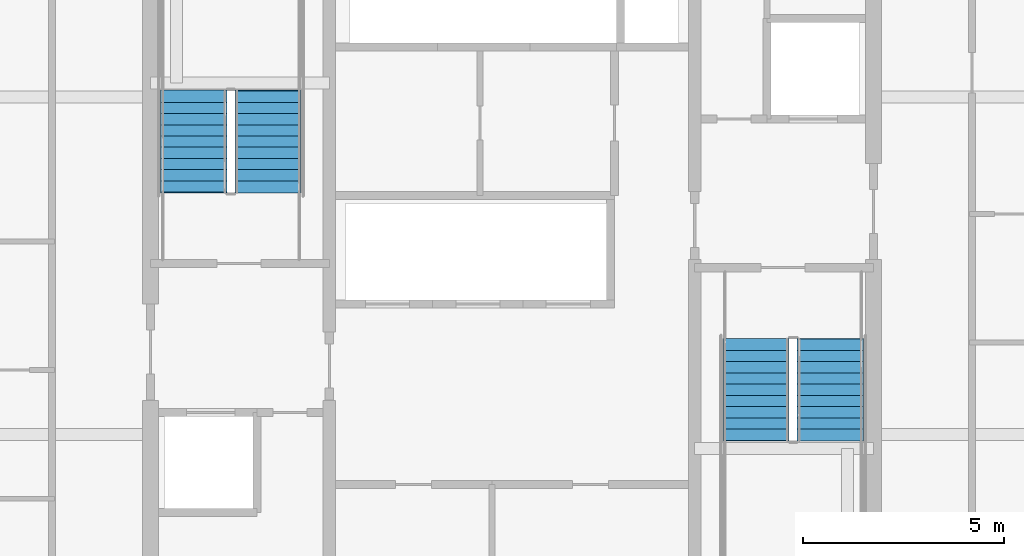
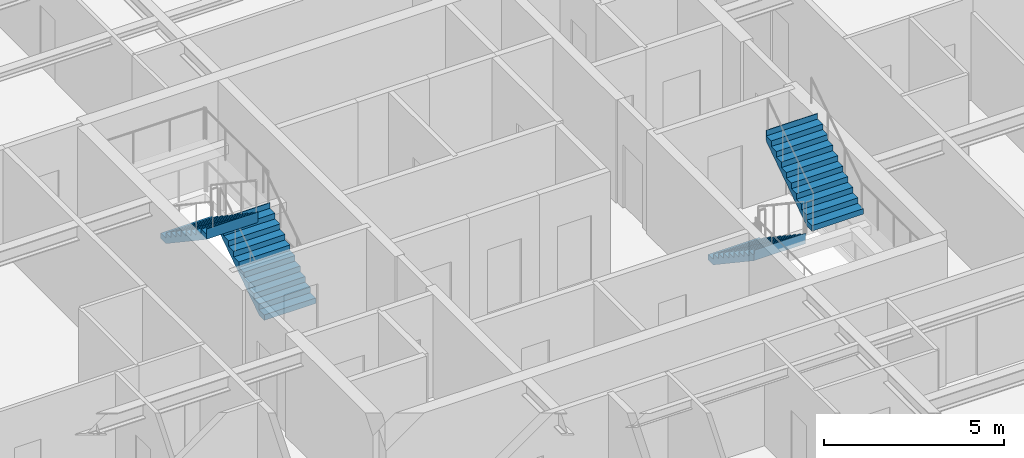
# One storey, part 33 of 39: 4 stair flights, 2 elements without a shape of their own.
"""IFC4 building model written with IfcOpenShell, lengths in metres."""

from ifc_helpers import new_model, si_unit, direction, frame, origin, place, context, subcontext, project, spatial, polygons, material, type_object, element, aggregate, save


model = new_model("IFC4")

# Units and contexts
model_context = context("Model", 3, precision=1e-05, world=origin(), true_north=direction((0.0, 1.0)))
body_context = subcontext(model_context, "Body", "Model", "MODEL_VIEW")
ifc_project = project(units=[si_unit("LENGTHUNIT", "METRE"), si_unit("AREAUNIT", "SQUARE_METRE"), si_unit("VOLUMEUNIT", "CUBIC_METRE"), si_unit("PLANEANGLEUNIT", "RADIAN"), si_unit("MASSUNIT", "GRAM", prefix="KILO")], contexts=[model_context])

# Site, building, storey
site_placement = place(None, origin())
site = spatial("IfcSite", under=ifc_project, at=site_placement, CompositionType="ELEMENT")
building_placement = place(site_placement, origin())
building = spatial("IfcBuilding", under=site, at=building_placement, Name="Serunith Strait Residences", CompositionType="ELEMENT")
storey_placement = place(building_placement, frame((0.0, 0.0, 168.89990234375)))
storey = spatial("IfcBuildingStorey", under=building, at=storey_placement, Name="L42", CompositionType="ELEMENT", Elevation=168.89990234375)

# Stair, stair flights
ifc_material = material(Name="Concrete C50/60", Category="concrete")
stair_type_1 = type_object("IfcStairType", Name="STR-CORE-1", PredefinedType="HALF_TURN_STAIR", material=ifc_material)
stair_1_placement = place(storey_placement, origin())
stair_1 = element("IfcStair", 1, at=stair_1_placement, inside=storey, type_object=stair_type_1, Name="L42 Protected Escape Stair ST-1", PredefinedType="HALF_TURN_STAIR")
stair_flight_type_1 = type_object("IfcStairFlightType", Name="FLT-CORE-1", PredefinedType="STRAIGHT", material=ifc_material)
stair_flight_1_placement = place(storey_placement, frame((26.324951171875, 27.030029296875, 0.0), z_axis=(0.0, 0.0, 1.0), x_axis=(0.0, 1.0, 0.0)))
stair_flight_1 = element("IfcStairFlight", 2, at=stair_flight_1_placement, type_object=stair_flight_type_1, Name="ST-1 flight 1", NumberOfRisers=10, NumberOfTreads=9, PredefinedType="STRAIGHT", RiserHeight=0.1875, TreadLength=0.28, context=body_context, shape_type="Tessellation", body=[
    polygons([(-0.02001953125, -0.824951171875, 0.0), (-0.02001953125, -0.824951171875, 0.1875), (0.280029296875, -0.824951171875, 0.1875), (0.280029296875, -0.824951171875, 0.375), (0.56005859375, -0.824951171875, 0.375), (0.56005859375, -0.824951171875, 0.5625), (0.840087890625, -0.824951171875, 0.5625), (0.840087890625, -0.824951171875, 0.75), (1.1201171875, -0.824951171875, 0.75), (1.1201171875, -0.824951171875, 0.9375), (1.39990234375, -0.824951171875, 0.9375), (1.39990234375, -0.824951171875, 1.125), (1.679931640625, -0.824951171875, 1.125), (1.679931640625, -0.824951171875, 1.3125), (1.9599609375, -0.824951171875, 1.3125), (1.9599609375, -0.824951171875, 1.5), (2.239990234375, -0.824951171875, 1.5), (2.239990234375, -0.824951171875, 1.6875), (2.52001953125, -0.824951171875, 1.6875), (2.52001953125, -0.824951171875, 1.875), (2.5400390625, -0.824951171875, 1.875), (2.5400390625, -0.824951171875, 1.81494140625), (2.52001953125, -0.824951171875, 1.507080078125), (0.26953125, -0.824951171875, 0.0), (-0.02001953125, -0.41259765625, 0.0), (-0.02001953125, -0.41259765625, 0.1875), (0.280029296875, -0.41259765625, 0.1875), (0.280029296875, -0.41259765625, 0.375), (0.56005859375, -0.41259765625, 0.375), (0.56005859375, -0.41259765625, 0.5625), (0.840087890625, -0.41259765625, 0.5625), (0.840087890625, -0.41259765625, 0.75), (1.1201171875, -0.41259765625, 0.75), (1.1201171875, -0.41259765625, 0.9375), (1.39990234375, -0.41259765625, 0.9375), (1.39990234375, -0.41259765625, 1.125), (1.679931640625, -0.41259765625, 1.125), (1.679931640625, -0.41259765625, 1.3125), (1.9599609375, -0.41259765625, 1.3125), (1.9599609375, -0.41259765625, 1.5), (2.239990234375, -0.41259765625, 1.5), (2.239990234375, -0.41259765625, 1.6875), (2.52001953125, -0.41259765625, 1.6875), (2.52001953125, -0.41259765625, 1.875), (2.5400390625, -0.41259765625, 1.875), (2.5400390625, -0.41259765625, 1.81494140625), (2.52001953125, -0.41259765625, 1.507080078125), (0.26953125, -0.41259765625, 0.0), (-0.02001953125, 0.0, 0.0), (-0.02001953125, 0.0, 0.1875), (0.280029296875, 0.0, 0.1875), (0.280029296875, 0.0, 0.375), (0.56005859375, 0.0, 0.375), (0.56005859375, 0.0, 0.5625), (0.840087890625, 0.0, 0.5625), (0.840087890625, 0.0, 0.75), (1.1201171875, 0.0, 0.75), (1.1201171875, 0.0, 0.9375), (1.39990234375, 0.0, 0.9375), (1.39990234375, 0.0, 1.125), (1.679931640625, 0.0, 1.125), (1.679931640625, 0.0, 1.3125), (1.9599609375, 0.0, 1.3125), (1.9599609375, 0.0, 1.5), (2.239990234375, 0.0, 1.5), (2.239990234375, 0.0, 1.6875), (2.52001953125, 0.0, 1.6875), (2.52001953125, 0.0, 1.875), (2.5400390625, 0.0, 1.875), (2.5400390625, 0.0, 1.81494140625), (2.52001953125, 0.0, 1.507080078125), (0.26953125, 0.0, 0.0), (-0.02001953125, 0.41259765625, 0.0), (-0.02001953125, 0.41259765625, 0.1875), (0.280029296875, 0.41259765625, 0.1875), (0.280029296875, 0.41259765625, 0.375), (0.56005859375, 0.41259765625, 0.375), (0.56005859375, 0.41259765625, 0.5625), (0.840087890625, 0.41259765625, 0.5625), (0.840087890625, 0.41259765625, 0.75), (1.1201171875, 0.41259765625, 0.75), (1.1201171875, 0.41259765625, 0.9375), (1.39990234375, 0.41259765625, 0.9375), (1.39990234375, 0.41259765625, 1.125), (1.679931640625, 0.41259765625, 1.125), (1.679931640625, 0.41259765625, 1.3125), (1.9599609375, 0.41259765625, 1.3125), (1.9599609375, 0.41259765625, 1.5), (2.239990234375, 0.41259765625, 1.5), (2.239990234375, 0.41259765625, 1.6875), (2.52001953125, 0.41259765625, 1.6875), (2.52001953125, 0.41259765625, 1.875), (2.5400390625, 0.41259765625, 1.875), (2.5400390625, 0.41259765625, 1.81494140625), (2.52001953125, 0.41259765625, 1.507080078125), (0.26953125, 0.41259765625, 0.0), (-0.02001953125, 0.824951171875, 0.0), (-0.02001953125, 0.824951171875, 0.1875), (0.280029296875, 0.824951171875, 0.1875), (0.280029296875, 0.824951171875, 0.375), (0.56005859375, 0.824951171875, 0.375), (0.56005859375, 0.824951171875, 0.5625), (0.840087890625, 0.824951171875, 0.5625), (0.840087890625, 0.824951171875, 0.75), (1.1201171875, 0.824951171875, 0.75), (1.1201171875, 0.824951171875, 0.9375), (1.39990234375, 0.824951171875, 0.9375), (1.39990234375, 0.824951171875, 1.125), (1.679931640625, 0.824951171875, 1.125), (1.679931640625, 0.824951171875, 1.3125), (1.9599609375, 0.824951171875, 1.3125), (1.9599609375, 0.824951171875, 1.5), (2.239990234375, 0.824951171875, 1.5), (2.239990234375, 0.824951171875, 1.6875), (2.52001953125, 0.824951171875, 1.6875), (2.52001953125, 0.824951171875, 1.875), (2.5400390625, 0.824951171875, 1.875), (2.5400390625, 0.824951171875, 1.81494140625), (2.52001953125, 0.824951171875, 1.507080078125), (0.26953125, 0.824951171875, 0.0)], [[[1, 2, 26, 25]], [[2, 3, 27, 26]], [[3, 4, 28, 27]], [[4, 5, 29, 28]], [[5, 6, 30, 29]], [[6, 7, 31, 30]], [[7, 8, 32, 31]], [[8, 9, 33, 32]], [[9, 10, 34, 33]], [[10, 11, 35, 34]], [[11, 12, 36, 35]], [[12, 13, 37, 36]], [[13, 14, 38, 37]], [[14, 15, 39, 38]], [[15, 16, 40, 39]], [[16, 17, 41, 40]], [[17, 18, 42, 41]], [[18, 19, 43, 42]], [[19, 20, 44, 43]], [[20, 21, 45, 44]], [[21, 22, 46, 45]], [[22, 23, 47, 46]], [[23, 24, 48, 47]], [[24, 1, 25, 48]], [[25, 26, 50, 49]], [[26, 27, 51, 50]], [[27, 28, 52, 51]], [[28, 29, 53, 52]], [[29, 30, 54, 53]], [[30, 31, 55, 54]], [[31, 32, 56, 55]], [[32, 33, 57, 56]], [[33, 34, 58, 57]], [[34, 35, 59, 58]], [[35, 36, 60, 59]], [[36, 37, 61, 60]], [[37, 38, 62, 61]], [[38, 39, 63, 62]], [[39, 40, 64, 63]], [[40, 41, 65, 64]], [[41, 42, 66, 65]], [[42, 43, 67, 66]], [[43, 44, 68, 67]], [[44, 45, 69, 68]], [[45, 46, 70, 69]], [[46, 47, 71, 70]], [[47, 48, 72, 71]], [[48, 25, 49, 72]], [[49, 50, 74, 73]], [[50, 51, 75, 74]], [[51, 52, 76, 75]], [[52, 53, 77, 76]], [[53, 54, 78, 77]], [[54, 55, 79, 78]], [[55, 56, 80, 79]], [[56, 57, 81, 80]], [[57, 58, 82, 81]], [[58, 59, 83, 82]], [[59, 60, 84, 83]], [[60, 61, 85, 84]], [[61, 62, 86, 85]], [[62, 63, 87, 86]], [[63, 64, 88, 87]], [[64, 65, 89, 88]], [[65, 66, 90, 89]], [[66, 67, 91, 90]], [[67, 68, 92, 91]], [[68, 69, 93, 92]], [[69, 70, 94, 93]], [[70, 71, 95, 94]], [[71, 72, 96, 95]], [[72, 49, 73, 96]], [[73, 74, 98, 97]], [[74, 75, 99, 98]], [[75, 76, 100, 99]], [[76, 77, 101, 100]], [[77, 78, 102, 101]], [[78, 79, 103, 102]], [[79, 80, 104, 103]], [[80, 81, 105, 104]], [[81, 82, 106, 105]], [[82, 83, 107, 106]], [[83, 84, 108, 107]], [[84, 85, 109, 108]], [[85, 86, 110, 109]], [[86, 87, 111, 110]], [[87, 88, 112, 111]], [[88, 89, 113, 112]], [[89, 90, 114, 113]], [[90, 91, 115, 114]], [[91, 92, 116, 115]], [[92, 93, 117, 116]], [[93, 94, 118, 117]], [[94, 95, 119, 118]], [[95, 96, 120, 119]], [[96, 73, 97, 120]], [[24, 23, 22, 21, 20, 19, 18, 17, 16, 15, 14, 13, 12, 11, 10, 9, 8, 7, 6, 5, 4, 3, 2, 1]], [[97, 98, 99, 100, 101, 102, 103, 104, 105, 106, 107, 108, 109, 110, 111, 112, 113, 114, 115, 116, 117, 118, 119, 120]]], closed=True),
])
stair_flight_2_placement = place(storey_placement, frame((24.47509765625, 29.550048828125, 1.875), z_axis=(0.0, 0.0, 1.0), x_axis=(0.0, -1.0, 0.0)))
stair_flight_2 = element("IfcStairFlight", 3, at=stair_flight_2_placement, type_object=stair_flight_type_1, Name="ST-1 flight 2", NumberOfRisers=10, NumberOfTreads=9, PredefinedType="STRAIGHT", RiserHeight=0.1875, TreadLength=0.28, context=body_context, shape_type="Tessellation", body=[
    polygons([(-0.02001953125, -0.824951171875, 0.0), (-0.02001953125, -0.824951171875, 0.1875), (0.280029296875, -0.824951171875, 0.1875), (0.280029296875, -0.824951171875, 0.375), (0.56005859375, -0.824951171875, 0.375), (0.56005859375, -0.824951171875, 0.5625), (0.840087890625, -0.824951171875, 0.5625), (0.840087890625, -0.824951171875, 0.75), (1.1201171875, -0.824951171875, 0.75), (1.1201171875, -0.824951171875, 0.9375), (1.39990234375, -0.824951171875, 0.9375), (1.39990234375, -0.824951171875, 1.125), (1.679931640625, -0.824951171875, 1.125), (1.679931640625, -0.824951171875, 1.3125), (1.9599609375, -0.824951171875, 1.3125), (1.9599609375, -0.824951171875, 1.5), (2.239990234375, -0.824951171875, 1.5), (2.239990234375, -0.824951171875, 1.6875), (2.52001953125, -0.824951171875, 1.6875), (2.52001953125, -0.824951171875, 1.875), (2.5400390625, -0.824951171875, 1.875), (2.5400390625, -0.824951171875, 1.81494140625), (2.52001953125, -0.824951171875, 1.507080078125), (0.26953125, -0.824951171875, 0.0), (-0.02001953125, -0.41259765625, 0.0), (-0.02001953125, -0.41259765625, 0.1875), (0.280029296875, -0.41259765625, 0.1875), (0.280029296875, -0.41259765625, 0.375), (0.56005859375, -0.41259765625, 0.375), (0.56005859375, -0.41259765625, 0.5625), (0.840087890625, -0.41259765625, 0.5625), (0.840087890625, -0.41259765625, 0.75), (1.1201171875, -0.41259765625, 0.75), (1.1201171875, -0.41259765625, 0.9375), (1.39990234375, -0.41259765625, 0.9375), (1.39990234375, -0.41259765625, 1.125), (1.679931640625, -0.41259765625, 1.125), (1.679931640625, -0.41259765625, 1.3125), (1.9599609375, -0.41259765625, 1.3125), (1.9599609375, -0.41259765625, 1.5), (2.239990234375, -0.41259765625, 1.5), (2.239990234375, -0.41259765625, 1.6875), (2.52001953125, -0.41259765625, 1.6875), (2.52001953125, -0.41259765625, 1.875), (2.5400390625, -0.41259765625, 1.875), (2.5400390625, -0.41259765625, 1.81494140625), (2.52001953125, -0.41259765625, 1.507080078125), (0.26953125, -0.41259765625, 0.0), (-0.02001953125, 0.0, 0.0), (-0.02001953125, 0.0, 0.1875), (0.280029296875, 0.0, 0.1875), (0.280029296875, 0.0, 0.375), (0.56005859375, 0.0, 0.375), (0.56005859375, 0.0, 0.5625), (0.840087890625, 0.0, 0.5625), (0.840087890625, 0.0, 0.75), (1.1201171875, 0.0, 0.75), (1.1201171875, 0.0, 0.9375), (1.39990234375, 0.0, 0.9375), (1.39990234375, 0.0, 1.125), (1.679931640625, 0.0, 1.125), (1.679931640625, 0.0, 1.3125), (1.9599609375, 0.0, 1.3125), (1.9599609375, 0.0, 1.5), (2.239990234375, 0.0, 1.5), (2.239990234375, 0.0, 1.6875), (2.52001953125, 0.0, 1.6875), (2.52001953125, 0.0, 1.875), (2.5400390625, 0.0, 1.875), (2.5400390625, 0.0, 1.81494140625), (2.52001953125, 0.0, 1.507080078125), (0.26953125, 0.0, 0.0), (-0.02001953125, 0.41259765625, 0.0), (-0.02001953125, 0.41259765625, 0.1875), (0.280029296875, 0.41259765625, 0.1875), (0.280029296875, 0.41259765625, 0.375), (0.56005859375, 0.41259765625, 0.375), (0.56005859375, 0.41259765625, 0.5625), (0.840087890625, 0.41259765625, 0.5625), (0.840087890625, 0.41259765625, 0.75), (1.1201171875, 0.41259765625, 0.75), (1.1201171875, 0.41259765625, 0.9375), (1.39990234375, 0.41259765625, 0.9375), (1.39990234375, 0.41259765625, 1.125), (1.679931640625, 0.41259765625, 1.125), (1.679931640625, 0.41259765625, 1.3125), (1.9599609375, 0.41259765625, 1.3125), (1.9599609375, 0.41259765625, 1.5), (2.239990234375, 0.41259765625, 1.5), (2.239990234375, 0.41259765625, 1.6875), (2.52001953125, 0.41259765625, 1.6875), (2.52001953125, 0.41259765625, 1.875), (2.5400390625, 0.41259765625, 1.875), (2.5400390625, 0.41259765625, 1.81494140625), (2.52001953125, 0.41259765625, 1.507080078125), (0.26953125, 0.41259765625, 0.0), (-0.02001953125, 0.824951171875, 0.0), (-0.02001953125, 0.824951171875, 0.1875), (0.280029296875, 0.824951171875, 0.1875), (0.280029296875, 0.824951171875, 0.375), (0.56005859375, 0.824951171875, 0.375), (0.56005859375, 0.824951171875, 0.5625), (0.840087890625, 0.824951171875, 0.5625), (0.840087890625, 0.824951171875, 0.75), (1.1201171875, 0.824951171875, 0.75), (1.1201171875, 0.824951171875, 0.9375), (1.39990234375, 0.824951171875, 0.9375), (1.39990234375, 0.824951171875, 1.125), (1.679931640625, 0.824951171875, 1.125), (1.679931640625, 0.824951171875, 1.3125), (1.9599609375, 0.824951171875, 1.3125), (1.9599609375, 0.824951171875, 1.5), (2.239990234375, 0.824951171875, 1.5), (2.239990234375, 0.824951171875, 1.6875), (2.52001953125, 0.824951171875, 1.6875), (2.52001953125, 0.824951171875, 1.875), (2.5400390625, 0.824951171875, 1.875), (2.5400390625, 0.824951171875, 1.81494140625), (2.52001953125, 0.824951171875, 1.507080078125), (0.26953125, 0.824951171875, 0.0)], [[[1, 2, 26, 25]], [[2, 3, 27, 26]], [[3, 4, 28, 27]], [[4, 5, 29, 28]], [[5, 6, 30, 29]], [[6, 7, 31, 30]], [[7, 8, 32, 31]], [[8, 9, 33, 32]], [[9, 10, 34, 33]], [[10, 11, 35, 34]], [[11, 12, 36, 35]], [[12, 13, 37, 36]], [[13, 14, 38, 37]], [[14, 15, 39, 38]], [[15, 16, 40, 39]], [[16, 17, 41, 40]], [[17, 18, 42, 41]], [[18, 19, 43, 42]], [[19, 20, 44, 43]], [[20, 21, 45, 44]], [[21, 22, 46, 45]], [[22, 23, 47, 46]], [[23, 24, 48, 47]], [[24, 1, 25, 48]], [[25, 26, 50, 49]], [[26, 27, 51, 50]], [[27, 28, 52, 51]], [[28, 29, 53, 52]], [[29, 30, 54, 53]], [[30, 31, 55, 54]], [[31, 32, 56, 55]], [[32, 33, 57, 56]], [[33, 34, 58, 57]], [[34, 35, 59, 58]], [[35, 36, 60, 59]], [[36, 37, 61, 60]], [[37, 38, 62, 61]], [[38, 39, 63, 62]], [[39, 40, 64, 63]], [[40, 41, 65, 64]], [[41, 42, 66, 65]], [[42, 43, 67, 66]], [[43, 44, 68, 67]], [[44, 45, 69, 68]], [[45, 46, 70, 69]], [[46, 47, 71, 70]], [[47, 48, 72, 71]], [[48, 25, 49, 72]], [[49, 50, 74, 73]], [[50, 51, 75, 74]], [[51, 52, 76, 75]], [[52, 53, 77, 76]], [[53, 54, 78, 77]], [[54, 55, 79, 78]], [[55, 56, 80, 79]], [[56, 57, 81, 80]], [[57, 58, 82, 81]], [[58, 59, 83, 82]], [[59, 60, 84, 83]], [[60, 61, 85, 84]], [[61, 62, 86, 85]], [[62, 63, 87, 86]], [[63, 64, 88, 87]], [[64, 65, 89, 88]], [[65, 66, 90, 89]], [[66, 67, 91, 90]], [[67, 68, 92, 91]], [[68, 69, 93, 92]], [[69, 70, 94, 93]], [[70, 71, 95, 94]], [[71, 72, 96, 95]], [[72, 49, 73, 96]], [[73, 74, 98, 97]], [[74, 75, 99, 98]], [[75, 76, 100, 99]], [[76, 77, 101, 100]], [[77, 78, 102, 101]], [[78, 79, 103, 102]], [[79, 80, 104, 103]], [[80, 81, 105, 104]], [[81, 82, 106, 105]], [[82, 83, 107, 106]], [[83, 84, 108, 107]], [[84, 85, 109, 108]], [[85, 86, 110, 109]], [[86, 87, 111, 110]], [[87, 88, 112, 111]], [[88, 89, 113, 112]], [[89, 90, 114, 113]], [[90, 91, 115, 114]], [[91, 92, 116, 115]], [[92, 93, 117, 116]], [[93, 94, 118, 117]], [[94, 95, 119, 118]], [[95, 96, 120, 119]], [[96, 73, 97, 120]], [[24, 23, 22, 21, 20, 19, 18, 17, 16, 15, 14, 13, 12, 11, 10, 9, 8, 7, 6, 5, 4, 3, 2, 1]], [[97, 98, 99, 100, 101, 102, 103, 104, 105, 106, 107, 108, 109, 110, 111, 112, 113, 114, 115, 116, 117, 118, 119, 120]]], closed=True),
])
aggregate(stair_1, [stair_flight_1, stair_flight_2])

stair_type_2 = type_object("IfcStairType", Name="STR-CORE-2", PredefinedType="HALF_TURN_STAIR", material=ifc_material)
stair_2_placement = place(storey_placement, origin())
stair_2 = element("IfcStair", 4, at=stair_2_placement, inside=storey, type_object=stair_type_2, Name="L42 Protected Escape Stair ST-2", PredefinedType="HALF_TURN_STAIR")
stair_flight_type_2 = type_object("IfcStairFlightType", Name="FLT-CORE-2", PredefinedType="STRAIGHT", material=ifc_material)
stair_flight_3_placement = place(storey_placement, frame((38.47509765625, 23.3701171875, 0.0), z_axis=(0.0, 0.0, 1.0), x_axis=(0.0, -1.0, 0.0)))
stair_flight_3 = element("IfcStairFlight", 5, at=stair_flight_3_placement, type_object=stair_flight_type_2, Name="ST-2 flight 1", NumberOfRisers=10, NumberOfTreads=9, PredefinedType="STRAIGHT", RiserHeight=0.1875, TreadLength=0.28, context=body_context, shape_type="Tessellation", body=[
    polygons([(-0.02001953125, -0.824951171875, 0.0), (-0.02001953125, -0.824951171875, 0.1875), (0.280029296875, -0.824951171875, 0.1875), (0.280029296875, -0.824951171875, 0.375), (0.56005859375, -0.824951171875, 0.375), (0.56005859375, -0.824951171875, 0.5625), (0.840087890625, -0.824951171875, 0.5625), (0.840087890625, -0.824951171875, 0.75), (1.1201171875, -0.824951171875, 0.75), (1.1201171875, -0.824951171875, 0.9375), (1.39990234375, -0.824951171875, 0.9375), (1.39990234375, -0.824951171875, 1.125), (1.679931640625, -0.824951171875, 1.125), (1.679931640625, -0.824951171875, 1.3125), (1.9599609375, -0.824951171875, 1.3125), (1.9599609375, -0.824951171875, 1.5), (2.239990234375, -0.824951171875, 1.5), (2.239990234375, -0.824951171875, 1.6875), (2.52001953125, -0.824951171875, 1.6875), (2.52001953125, -0.824951171875, 1.875), (2.5400390625, -0.824951171875, 1.875), (2.5400390625, -0.824951171875, 1.81494140625), (2.52001953125, -0.824951171875, 1.507080078125), (0.26953125, -0.824951171875, 0.0), (-0.02001953125, -0.41259765625, 0.0), (-0.02001953125, -0.41259765625, 0.1875), (0.280029296875, -0.41259765625, 0.1875), (0.280029296875, -0.41259765625, 0.375), (0.56005859375, -0.41259765625, 0.375), (0.56005859375, -0.41259765625, 0.5625), (0.840087890625, -0.41259765625, 0.5625), (0.840087890625, -0.41259765625, 0.75), (1.1201171875, -0.41259765625, 0.75), (1.1201171875, -0.41259765625, 0.9375), (1.39990234375, -0.41259765625, 0.9375), (1.39990234375, -0.41259765625, 1.125), (1.679931640625, -0.41259765625, 1.125), (1.679931640625, -0.41259765625, 1.3125), (1.9599609375, -0.41259765625, 1.3125), (1.9599609375, -0.41259765625, 1.5), (2.239990234375, -0.41259765625, 1.5), (2.239990234375, -0.41259765625, 1.6875), (2.52001953125, -0.41259765625, 1.6875), (2.52001953125, -0.41259765625, 1.875), (2.5400390625, -0.41259765625, 1.875), (2.5400390625, -0.41259765625, 1.81494140625), (2.52001953125, -0.41259765625, 1.507080078125), (0.26953125, -0.41259765625, 0.0), (-0.02001953125, 0.0, 0.0), (-0.02001953125, 0.0, 0.1875), (0.280029296875, 0.0, 0.1875), (0.280029296875, 0.0, 0.375), (0.56005859375, 0.0, 0.375), (0.56005859375, 0.0, 0.5625), (0.840087890625, 0.0, 0.5625), (0.840087890625, 0.0, 0.75), (1.1201171875, 0.0, 0.75), (1.1201171875, 0.0, 0.9375), (1.39990234375, 0.0, 0.9375), (1.39990234375, 0.0, 1.125), (1.679931640625, 0.0, 1.125), (1.679931640625, 0.0, 1.3125), (1.9599609375, 0.0, 1.3125), (1.9599609375, 0.0, 1.5), (2.239990234375, 0.0, 1.5), (2.239990234375, 0.0, 1.6875), (2.52001953125, 0.0, 1.6875), (2.52001953125, 0.0, 1.875), (2.5400390625, 0.0, 1.875), (2.5400390625, 0.0, 1.81494140625), (2.52001953125, 0.0, 1.507080078125), (0.26953125, 0.0, 0.0), (-0.02001953125, 0.41259765625, 0.0), (-0.02001953125, 0.41259765625, 0.1875), (0.280029296875, 0.41259765625, 0.1875), (0.280029296875, 0.41259765625, 0.375), (0.56005859375, 0.41259765625, 0.375), (0.56005859375, 0.41259765625, 0.5625), (0.840087890625, 0.41259765625, 0.5625), (0.840087890625, 0.41259765625, 0.75), (1.1201171875, 0.41259765625, 0.75), (1.1201171875, 0.41259765625, 0.9375), (1.39990234375, 0.41259765625, 0.9375), (1.39990234375, 0.41259765625, 1.125), (1.679931640625, 0.41259765625, 1.125), (1.679931640625, 0.41259765625, 1.3125), (1.9599609375, 0.41259765625, 1.3125), (1.9599609375, 0.41259765625, 1.5), (2.239990234375, 0.41259765625, 1.5), (2.239990234375, 0.41259765625, 1.6875), (2.52001953125, 0.41259765625, 1.6875), (2.52001953125, 0.41259765625, 1.875), (2.5400390625, 0.41259765625, 1.875), (2.5400390625, 0.41259765625, 1.81494140625), (2.52001953125, 0.41259765625, 1.507080078125), (0.26953125, 0.41259765625, 0.0), (-0.02001953125, 0.824951171875, 0.0), (-0.02001953125, 0.824951171875, 0.1875), (0.280029296875, 0.824951171875, 0.1875), (0.280029296875, 0.824951171875, 0.375), (0.56005859375, 0.824951171875, 0.375), (0.56005859375, 0.824951171875, 0.5625), (0.840087890625, 0.824951171875, 0.5625), (0.840087890625, 0.824951171875, 0.75), (1.1201171875, 0.824951171875, 0.75), (1.1201171875, 0.824951171875, 0.9375), (1.39990234375, 0.824951171875, 0.9375), (1.39990234375, 0.824951171875, 1.125), (1.679931640625, 0.824951171875, 1.125), (1.679931640625, 0.824951171875, 1.3125), (1.9599609375, 0.824951171875, 1.3125), (1.9599609375, 0.824951171875, 1.5), (2.239990234375, 0.824951171875, 1.5), (2.239990234375, 0.824951171875, 1.6875), (2.52001953125, 0.824951171875, 1.6875), (2.52001953125, 0.824951171875, 1.875), (2.5400390625, 0.824951171875, 1.875), (2.5400390625, 0.824951171875, 1.81494140625), (2.52001953125, 0.824951171875, 1.507080078125), (0.26953125, 0.824951171875, 0.0)], [[[1, 2, 26, 25]], [[2, 3, 27, 26]], [[3, 4, 28, 27]], [[4, 5, 29, 28]], [[5, 6, 30, 29]], [[6, 7, 31, 30]], [[7, 8, 32, 31]], [[8, 9, 33, 32]], [[9, 10, 34, 33]], [[10, 11, 35, 34]], [[11, 12, 36, 35]], [[12, 13, 37, 36]], [[13, 14, 38, 37]], [[14, 15, 39, 38]], [[15, 16, 40, 39]], [[16, 17, 41, 40]], [[17, 18, 42, 41]], [[18, 19, 43, 42]], [[19, 20, 44, 43]], [[20, 21, 45, 44]], [[21, 22, 46, 45]], [[22, 23, 47, 46]], [[23, 24, 48, 47]], [[24, 1, 25, 48]], [[25, 26, 50, 49]], [[26, 27, 51, 50]], [[27, 28, 52, 51]], [[28, 29, 53, 52]], [[29, 30, 54, 53]], [[30, 31, 55, 54]], [[31, 32, 56, 55]], [[32, 33, 57, 56]], [[33, 34, 58, 57]], [[34, 35, 59, 58]], [[35, 36, 60, 59]], [[36, 37, 61, 60]], [[37, 38, 62, 61]], [[38, 39, 63, 62]], [[39, 40, 64, 63]], [[40, 41, 65, 64]], [[41, 42, 66, 65]], [[42, 43, 67, 66]], [[43, 44, 68, 67]], [[44, 45, 69, 68]], [[45, 46, 70, 69]], [[46, 47, 71, 70]], [[47, 48, 72, 71]], [[48, 25, 49, 72]], [[49, 50, 74, 73]], [[50, 51, 75, 74]], [[51, 52, 76, 75]], [[52, 53, 77, 76]], [[53, 54, 78, 77]], [[54, 55, 79, 78]], [[55, 56, 80, 79]], [[56, 57, 81, 80]], [[57, 58, 82, 81]], [[58, 59, 83, 82]], [[59, 60, 84, 83]], [[60, 61, 85, 84]], [[61, 62, 86, 85]], [[62, 63, 87, 86]], [[63, 64, 88, 87]], [[64, 65, 89, 88]], [[65, 66, 90, 89]], [[66, 67, 91, 90]], [[67, 68, 92, 91]], [[68, 69, 93, 92]], [[69, 70, 94, 93]], [[70, 71, 95, 94]], [[71, 72, 96, 95]], [[72, 49, 73, 96]], [[73, 74, 98, 97]], [[74, 75, 99, 98]], [[75, 76, 100, 99]], [[76, 77, 101, 100]], [[77, 78, 102, 101]], [[78, 79, 103, 102]], [[79, 80, 104, 103]], [[80, 81, 105, 104]], [[81, 82, 106, 105]], [[82, 83, 107, 106]], [[83, 84, 108, 107]], [[84, 85, 109, 108]], [[85, 86, 110, 109]], [[86, 87, 111, 110]], [[87, 88, 112, 111]], [[88, 89, 113, 112]], [[89, 90, 114, 113]], [[90, 91, 115, 114]], [[91, 92, 116, 115]], [[92, 93, 117, 116]], [[93, 94, 118, 117]], [[94, 95, 119, 118]], [[95, 96, 120, 119]], [[96, 73, 97, 120]], [[24, 23, 22, 21, 20, 19, 18, 17, 16, 15, 14, 13, 12, 11, 10, 9, 8, 7, 6, 5, 4, 3, 2, 1]], [[97, 98, 99, 100, 101, 102, 103, 104, 105, 106, 107, 108, 109, 110, 111, 112, 113, 114, 115, 116, 117, 118, 119, 120]]], closed=True),
])
stair_flight_4_placement = place(storey_placement, frame((40.324951171875, 20.85009765625, 1.875), z_axis=(0.0, 0.0, 1.0), x_axis=(0.0, 1.0, 0.0)))
stair_flight_4 = element("IfcStairFlight", 6, at=stair_flight_4_placement, type_object=stair_flight_type_2, Name="ST-2 flight 2", NumberOfRisers=10, NumberOfTreads=9, PredefinedType="STRAIGHT", RiserHeight=0.1875, TreadLength=0.28, context=body_context, shape_type="Tessellation", body=[
    polygons([(-0.02001953125, -0.824951171875, 0.0), (-0.02001953125, -0.824951171875, 0.1875), (0.280029296875, -0.824951171875, 0.1875), (0.280029296875, -0.824951171875, 0.375), (0.56005859375, -0.824951171875, 0.375), (0.56005859375, -0.824951171875, 0.5625), (0.840087890625, -0.824951171875, 0.5625), (0.840087890625, -0.824951171875, 0.75), (1.1201171875, -0.824951171875, 0.75), (1.1201171875, -0.824951171875, 0.9375), (1.39990234375, -0.824951171875, 0.9375), (1.39990234375, -0.824951171875, 1.125), (1.679931640625, -0.824951171875, 1.125), (1.679931640625, -0.824951171875, 1.3125), (1.9599609375, -0.824951171875, 1.3125), (1.9599609375, -0.824951171875, 1.5), (2.239990234375, -0.824951171875, 1.5), (2.239990234375, -0.824951171875, 1.6875), (2.52001953125, -0.824951171875, 1.6875), (2.52001953125, -0.824951171875, 1.875), (2.5400390625, -0.824951171875, 1.875), (2.5400390625, -0.824951171875, 1.81494140625), (2.52001953125, -0.824951171875, 1.507080078125), (0.26953125, -0.824951171875, 0.0), (-0.02001953125, -0.41259765625, 0.0), (-0.02001953125, -0.41259765625, 0.1875), (0.280029296875, -0.41259765625, 0.1875), (0.280029296875, -0.41259765625, 0.375), (0.56005859375, -0.41259765625, 0.375), (0.56005859375, -0.41259765625, 0.5625), (0.840087890625, -0.41259765625, 0.5625), (0.840087890625, -0.41259765625, 0.75), (1.1201171875, -0.41259765625, 0.75), (1.1201171875, -0.41259765625, 0.9375), (1.39990234375, -0.41259765625, 0.9375), (1.39990234375, -0.41259765625, 1.125), (1.679931640625, -0.41259765625, 1.125), (1.679931640625, -0.41259765625, 1.3125), (1.9599609375, -0.41259765625, 1.3125), (1.9599609375, -0.41259765625, 1.5), (2.239990234375, -0.41259765625, 1.5), (2.239990234375, -0.41259765625, 1.6875), (2.52001953125, -0.41259765625, 1.6875), (2.52001953125, -0.41259765625, 1.875), (2.5400390625, -0.41259765625, 1.875), (2.5400390625, -0.41259765625, 1.81494140625), (2.52001953125, -0.41259765625, 1.507080078125), (0.26953125, -0.41259765625, 0.0), (-0.02001953125, 0.0, 0.0), (-0.02001953125, 0.0, 0.1875), (0.280029296875, 0.0, 0.1875), (0.280029296875, 0.0, 0.375), (0.56005859375, 0.0, 0.375), (0.56005859375, 0.0, 0.5625), (0.840087890625, 0.0, 0.5625), (0.840087890625, 0.0, 0.75), (1.1201171875, 0.0, 0.75), (1.1201171875, 0.0, 0.9375), (1.39990234375, 0.0, 0.9375), (1.39990234375, 0.0, 1.125), (1.679931640625, 0.0, 1.125), (1.679931640625, 0.0, 1.3125), (1.9599609375, 0.0, 1.3125), (1.9599609375, 0.0, 1.5), (2.239990234375, 0.0, 1.5), (2.239990234375, 0.0, 1.6875), (2.52001953125, 0.0, 1.6875), (2.52001953125, 0.0, 1.875), (2.5400390625, 0.0, 1.875), (2.5400390625, 0.0, 1.81494140625), (2.52001953125, 0.0, 1.507080078125), (0.26953125, 0.0, 0.0), (-0.02001953125, 0.41259765625, 0.0), (-0.02001953125, 0.41259765625, 0.1875), (0.280029296875, 0.41259765625, 0.1875), (0.280029296875, 0.41259765625, 0.375), (0.56005859375, 0.41259765625, 0.375), (0.56005859375, 0.41259765625, 0.5625), (0.840087890625, 0.41259765625, 0.5625), (0.840087890625, 0.41259765625, 0.75), (1.1201171875, 0.41259765625, 0.75), (1.1201171875, 0.41259765625, 0.9375), (1.39990234375, 0.41259765625, 0.9375), (1.39990234375, 0.41259765625, 1.125), (1.679931640625, 0.41259765625, 1.125), (1.679931640625, 0.41259765625, 1.3125), (1.9599609375, 0.41259765625, 1.3125), (1.9599609375, 0.41259765625, 1.5), (2.239990234375, 0.41259765625, 1.5), (2.239990234375, 0.41259765625, 1.6875), (2.52001953125, 0.41259765625, 1.6875), (2.52001953125, 0.41259765625, 1.875), (2.5400390625, 0.41259765625, 1.875), (2.5400390625, 0.41259765625, 1.81494140625), (2.52001953125, 0.41259765625, 1.507080078125), (0.26953125, 0.41259765625, 0.0), (-0.02001953125, 0.824951171875, 0.0), (-0.02001953125, 0.824951171875, 0.1875), (0.280029296875, 0.824951171875, 0.1875), (0.280029296875, 0.824951171875, 0.375), (0.56005859375, 0.824951171875, 0.375), (0.56005859375, 0.824951171875, 0.5625), (0.840087890625, 0.824951171875, 0.5625), (0.840087890625, 0.824951171875, 0.75), (1.1201171875, 0.824951171875, 0.75), (1.1201171875, 0.824951171875, 0.9375), (1.39990234375, 0.824951171875, 0.9375), (1.39990234375, 0.824951171875, 1.125), (1.679931640625, 0.824951171875, 1.125), (1.679931640625, 0.824951171875, 1.3125), (1.9599609375, 0.824951171875, 1.3125), (1.9599609375, 0.824951171875, 1.5), (2.239990234375, 0.824951171875, 1.5), (2.239990234375, 0.824951171875, 1.6875), (2.52001953125, 0.824951171875, 1.6875), (2.52001953125, 0.824951171875, 1.875), (2.5400390625, 0.824951171875, 1.875), (2.5400390625, 0.824951171875, 1.81494140625), (2.52001953125, 0.824951171875, 1.507080078125), (0.26953125, 0.824951171875, 0.0)], [[[1, 2, 26, 25]], [[2, 3, 27, 26]], [[3, 4, 28, 27]], [[4, 5, 29, 28]], [[5, 6, 30, 29]], [[6, 7, 31, 30]], [[7, 8, 32, 31]], [[8, 9, 33, 32]], [[9, 10, 34, 33]], [[10, 11, 35, 34]], [[11, 12, 36, 35]], [[12, 13, 37, 36]], [[13, 14, 38, 37]], [[14, 15, 39, 38]], [[15, 16, 40, 39]], [[16, 17, 41, 40]], [[17, 18, 42, 41]], [[18, 19, 43, 42]], [[19, 20, 44, 43]], [[20, 21, 45, 44]], [[21, 22, 46, 45]], [[22, 23, 47, 46]], [[23, 24, 48, 47]], [[24, 1, 25, 48]], [[25, 26, 50, 49]], [[26, 27, 51, 50]], [[27, 28, 52, 51]], [[28, 29, 53, 52]], [[29, 30, 54, 53]], [[30, 31, 55, 54]], [[31, 32, 56, 55]], [[32, 33, 57, 56]], [[33, 34, 58, 57]], [[34, 35, 59, 58]], [[35, 36, 60, 59]], [[36, 37, 61, 60]], [[37, 38, 62, 61]], [[38, 39, 63, 62]], [[39, 40, 64, 63]], [[40, 41, 65, 64]], [[41, 42, 66, 65]], [[42, 43, 67, 66]], [[43, 44, 68, 67]], [[44, 45, 69, 68]], [[45, 46, 70, 69]], [[46, 47, 71, 70]], [[47, 48, 72, 71]], [[48, 25, 49, 72]], [[49, 50, 74, 73]], [[50, 51, 75, 74]], [[51, 52, 76, 75]], [[52, 53, 77, 76]], [[53, 54, 78, 77]], [[54, 55, 79, 78]], [[55, 56, 80, 79]], [[56, 57, 81, 80]], [[57, 58, 82, 81]], [[58, 59, 83, 82]], [[59, 60, 84, 83]], [[60, 61, 85, 84]], [[61, 62, 86, 85]], [[62, 63, 87, 86]], [[63, 64, 88, 87]], [[64, 65, 89, 88]], [[65, 66, 90, 89]], [[66, 67, 91, 90]], [[67, 68, 92, 91]], [[68, 69, 93, 92]], [[69, 70, 94, 93]], [[70, 71, 95, 94]], [[71, 72, 96, 95]], [[72, 49, 73, 96]], [[73, 74, 98, 97]], [[74, 75, 99, 98]], [[75, 76, 100, 99]], [[76, 77, 101, 100]], [[77, 78, 102, 101]], [[78, 79, 103, 102]], [[79, 80, 104, 103]], [[80, 81, 105, 104]], [[81, 82, 106, 105]], [[82, 83, 107, 106]], [[83, 84, 108, 107]], [[84, 85, 109, 108]], [[85, 86, 110, 109]], [[86, 87, 111, 110]], [[87, 88, 112, 111]], [[88, 89, 113, 112]], [[89, 90, 114, 113]], [[90, 91, 115, 114]], [[91, 92, 116, 115]], [[92, 93, 117, 116]], [[93, 94, 118, 117]], [[94, 95, 119, 118]], [[95, 96, 120, 119]], [[96, 73, 97, 120]], [[24, 23, 22, 21, 20, 19, 18, 17, 16, 15, 14, 13, 12, 11, 10, 9, 8, 7, 6, 5, 4, 3, 2, 1]], [[97, 98, 99, 100, 101, 102, 103, 104, 105, 106, 107, 108, 109, 110, 111, 112, 113, 114, 115, 116, 117, 118, 119, 120]]], closed=True),
])
aggregate(stair_2, [stair_flight_3, stair_flight_4])

save(model, "model.ifc")
